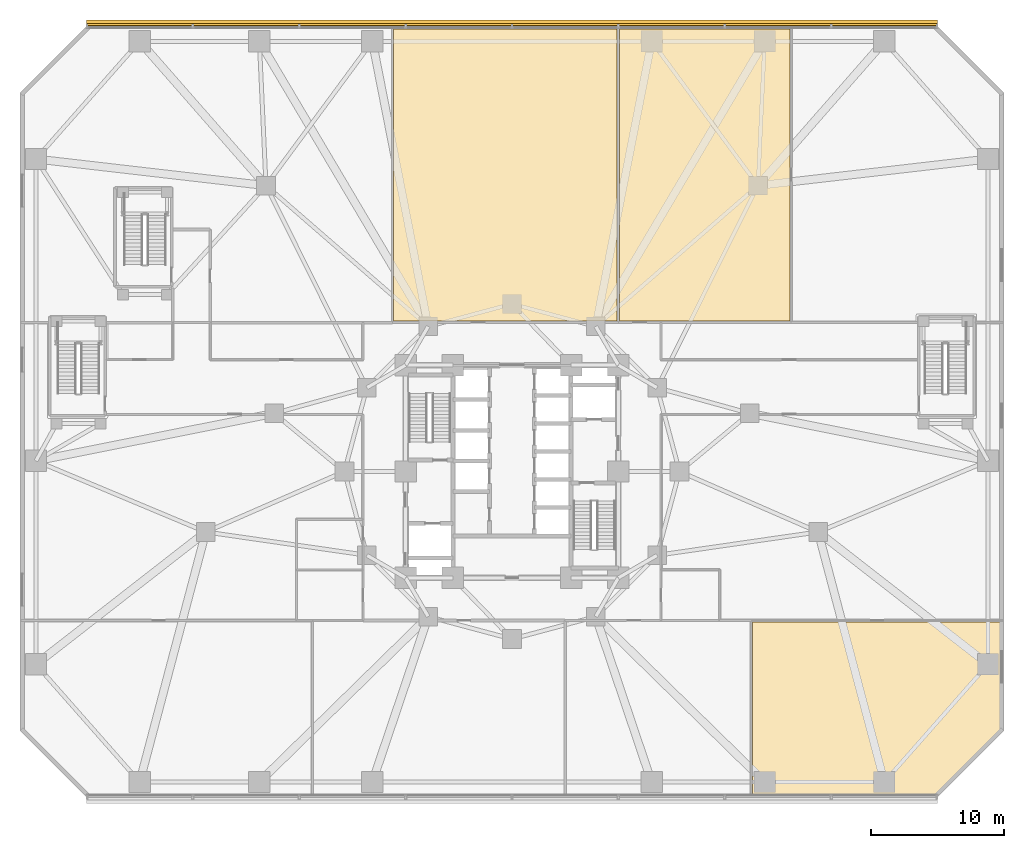
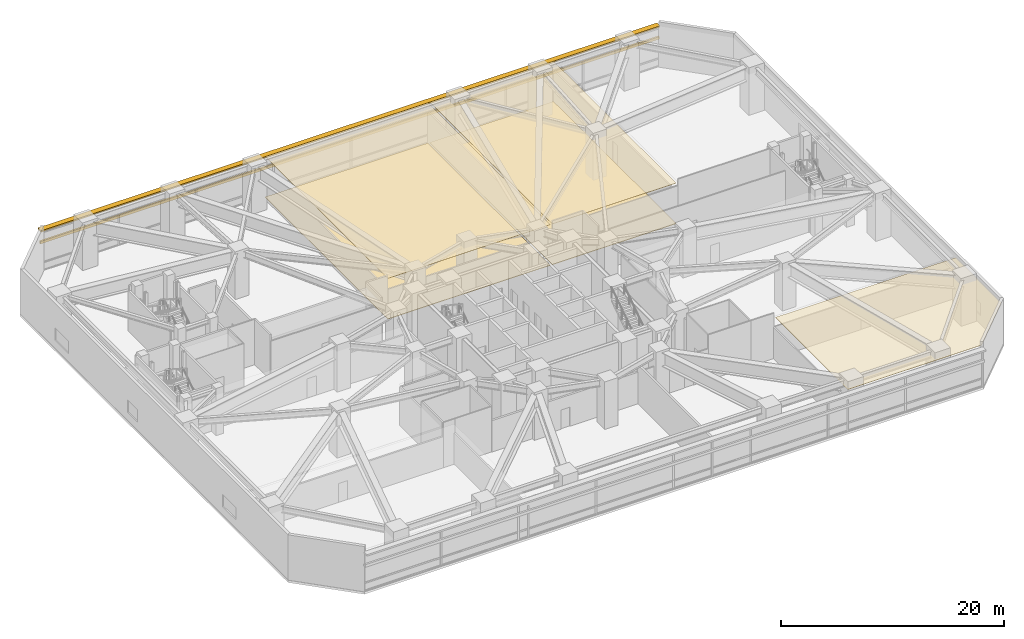
# One storey, part 27 of 28: 5 coverings, 2 shading devices.
"""IFC4 building model written with IfcOpenShell, lengths in metres."""

from ifc_helpers import new_model, si_unit, direction, frame, origin, origin_2d, place, context, subcontext, project, spatial, polyline, rectangle, outline, extrude, material, layer, layer_set, type_object, element, save


model = new_model("IFC4")

# Units and contexts
model_context = context("Model", 3, precision=1e-05, world=origin(), true_north=direction((0.0, 1.0)))
body_context = subcontext(model_context, "Body", "Model", "MODEL_VIEW")
ifc_project = project(units=[si_unit("LENGTHUNIT", "METRE"), si_unit("AREAUNIT", "SQUARE_METRE"), si_unit("VOLUMEUNIT", "CUBIC_METRE"), si_unit("PLANEANGLEUNIT", "RADIAN"), si_unit("MASSUNIT", "GRAM", prefix="KILO")], contexts=[model_context])

# Site, building, storey
site_placement = place(None, origin())
site = spatial("IfcSite", under=ifc_project, at=site_placement, CompositionType="ELEMENT")
building_placement = place(site_placement, origin())
building = spatial("IfcBuilding", under=site, at=building_placement, Name="Terralouvre Media Tower", CompositionType="ELEMENT")
storey_placement = place(building_placement, frame((0.0, 0.0, 10.39990234375)))
storey = spatial("IfcBuildingStorey", under=building, at=storey_placement, Name="L02", CompositionType="ELEMENT", Elevation=10.39990234375)

# Coverings
ifc_material_1 = material(Name="Resilient elastomer acoustic broadcast studio flooring")
ifc_layer_1 = layer(ifc_material_1, 0.050048828125, Name="Broadcast Studio Acoustic Floating Floor FL-AC1")
ifc_layer_set_1 = layer_set([ifc_layer_1], Name="Resilient elastomer acoustic broadcast studio flooring")
covering_type_1 = type_object("IfcCoveringType", Name="Broadcast Studio Acoustic Floating Floor FL-AC1", PredefinedType="FLOORING", material=ifc_layer_set_1)
covering_1_placement = place(storey_placement, origin())
element("IfcCovering", 1, at=covering_1_placement, inside=storey, type_object=covering_type_1, Name="L02 L02 Master Control Room 9 Acoustic Floating Floor", PredefinedType="FLOORING", context=body_context, shape_type="SweptSolid", body=[
    extrude(outline(polyline([(20.89990234375, 11.300048828125), (20.89990234375, 33.280029296875), (8.10009765625, 33.280029296875), (8.10009765625, 11.300048828125), (20.89990234375, 11.300048828125)])), origin(), (0.0, 0.0, 1.0), 0.050048828125),
])
covering_2_placement = place(storey_placement, origin())
element("IfcCovering", 2, at=covering_2_placement, inside=storey, type_object=covering_type_1, Name="L02 L02 Studio Production Control Room 10 Acoustic Floating Floor", PredefinedType="FLOORING", context=body_context, shape_type="SweptSolid", body=[
    extrude(outline(polyline([(7.89990234375, 11.300048828125), (7.89990234375, 33.280029296875), (-8.89990234375, 33.280029296875), (-8.89990234375, 11.300048828125), (7.89990234375, 11.300048828125)])), origin(), (0.0, 0.0, 1.0), 0.050048828125),
])
ifc_material_2 = material(Name="Perforated aluminium acoustic ceiling baffle", Category="aluminium")
ifc_layer_2 = layer(ifc_material_2, 0.0400390625, Name="Perforated Acoustic Metal Tile Ceiling CL-AC1")
ifc_layer_set_2 = layer_set([ifc_layer_2], Name="Perforated aluminium acoustic ceiling baffle")
covering_type_2 = type_object("IfcCoveringType", Name="Perforated Acoustic Metal Tile Ceiling CL-AC1", PredefinedType="CEILING", material=ifc_layer_set_2)
covering_3_placement = place(storey_placement, frame((0.0, 0.0, 4.43017578125)))
element("IfcCovering", 3, at=covering_3_placement, inside=storey, type_object=covering_type_2, Name="L02 L02 Technical Schedule Conference Room 5 Acoustic Ceiling", PredefinedType="CEILING", context=body_context, shape_type="SweptSolid", body=[
    extrude(outline(polyline([(18.10009765625, -24.280029296875), (31.90869140625, -24.280029296875), (36.780029296875, -19.40869140625), (36.780029296875, -11.300048828125), (18.10009765625, -11.300048828125), (18.10009765625, -24.280029296875)])), origin(), (0.0, 0.0, 1.0), 0.0400390625),
])
covering_4_placement = place(storey_placement, frame((0.0, 0.0, 4.43017578125)))
element("IfcCovering", 4, at=covering_4_placement, inside=storey, type_object=covering_type_2, Name="L02 L02 Master Control Room 9 Acoustic Ceiling", PredefinedType="CEILING", context=body_context, shape_type="SweptSolid", body=[
    extrude(outline(polyline([(20.89990234375, 11.300048828125), (20.89990234375, 33.280029296875), (8.10009765625, 33.280029296875), (8.10009765625, 11.300048828125), (20.89990234375, 11.300048828125)])), origin(), (0.0, 0.0, 1.0), 0.0400390625),
])
covering_5_placement = place(storey_placement, frame((0.0, 0.0, 4.43017578125)))
element("IfcCovering", 5, at=covering_5_placement, inside=storey, type_object=covering_type_2, Name="L02 L02 Studio Production Control Room 10 Acoustic Ceiling", PredefinedType="CEILING", context=body_context, shape_type="SweptSolid", body=[
    extrude(outline(polyline([(7.89990234375, 11.300048828125), (7.89990234375, 33.280029296875), (-8.89990234375, 33.280029296875), (-8.89990234375, 11.300048828125), (7.89990234375, 11.300048828125)])), origin(), (0.0, 0.0, 1.0), 0.0400390625),
])

# Shading devices
ifc_material_3 = material(Name="Extruded terracotta baguette sunshade louvres", Category="masonry")
shading_device_type_1 = type_object("IfcShadingDeviceType", Name="Podium Deep Terracotta Sunshade Canopy Blade TB-SH1", PredefinedType="USERDEFINED", material=ifc_material_3)
shading_device_1_placement = place(storey_placement, frame((0.0, 33.679931640625, 4.18994140625), z_axis=(0.0, 0.0, 1.0), x_axis=(-1.0, 0.0, 0.0)))
element("IfcShadingDevice", 6, at=shading_device_1_placement, inside=storey, type_object=shading_device_type_1, Name="L02 Podium Deep Sunshade Blade F4", ObjectType="SUNSHADE", PredefinedType="USERDEFINED", context=body_context, shape_type="SweptSolid", body=[
    extrude(rectangle(XDim=64.0, YDim=0.550048828125, at=origin_2d()), origin(), (0.0, 0.0, 1.0), 0.159912109375),
])
ifc_material_4 = material(Name="Extruded terracotta baguette sunshade louvres", Category="masonry")
shading_device_type_2 = type_object("IfcShadingDeviceType", Name="Terracotta Baguette Sunshade Louvre Screen TB-LV1", PredefinedType="USERDEFINED", material=ifc_material_4)
shading_device_2_placement = place(storey_placement, frame((0.0, 33.6201171875, 2.82470703125), z_axis=(0.0, 0.0, 1.0), x_axis=(-1.0, 0.0, 0.0)))
element("IfcShadingDevice", 7, at=shading_device_2_placement, inside=storey, type_object=shading_device_type_2, Name="CW-L02-F4 Terracotta Baguette Sunshade Louvre", ObjectType="BAGUETTE", PredefinedType="USERDEFINED", context=body_context, shape_type="SweptSolid", body=[
    extrude(rectangle(XDim=64.0, YDim=0.179931640625, at=origin_2d()), origin(), (0.0, 0.0, 1.0), 0.280029296875),
])

save(model, "model.ifc")
